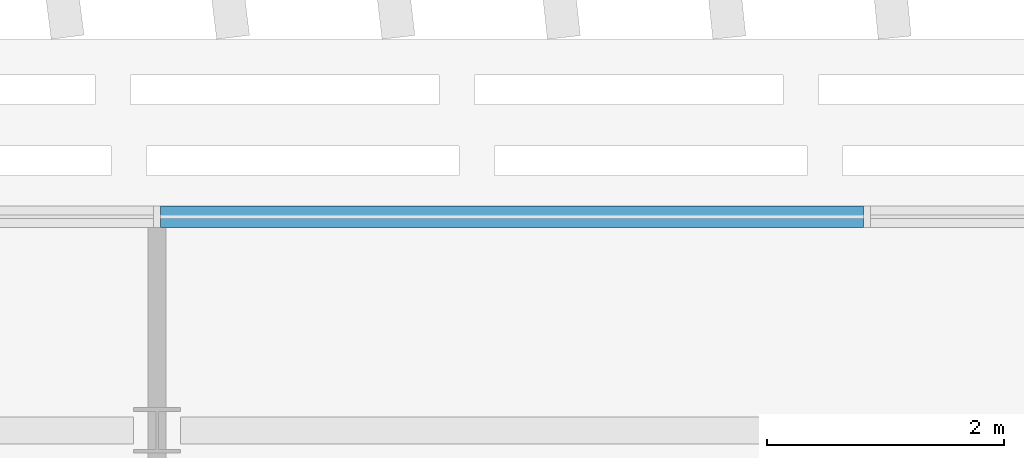
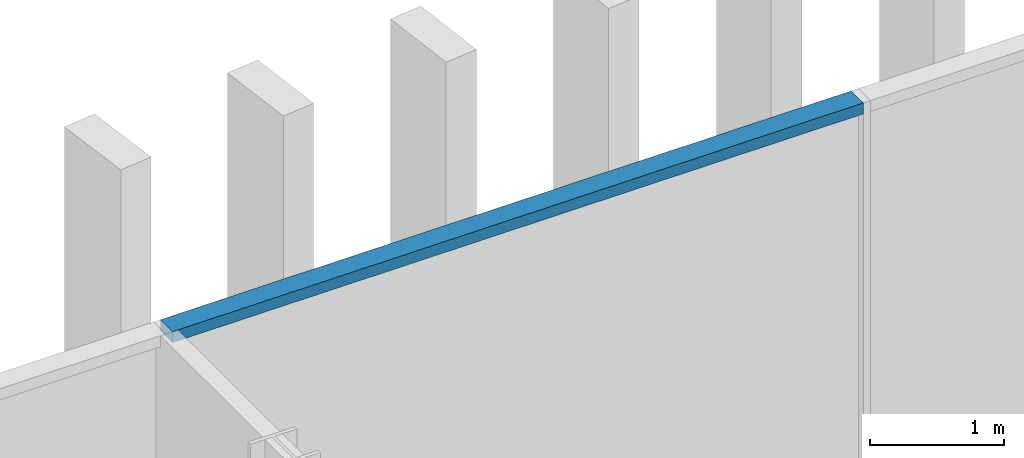
# One storey, part 11 of 32: 1 member, 1 element without a shape of its own.
"""IFC4 building model written with IfcOpenShell, lengths in metres."""

from ifc_helpers import new_model, si_unit, direction, frame, origin, origin_2d, place, context, subcontext, project, spatial, rectangle, extrude, material, material_profile, profile_set, type_object, element, aggregate, save


model = new_model("IFC4")

# Units and contexts
model_context = context("Model", 3, precision=1e-05, world=origin(), true_north=direction((0.0, 1.0)))
body_context = subcontext(model_context, "Body", "Model", "MODEL_VIEW")
ifc_project = project(units=[si_unit("LENGTHUNIT", "METRE"), si_unit("AREAUNIT", "SQUARE_METRE"), si_unit("VOLUMEUNIT", "CUBIC_METRE"), si_unit("PLANEANGLEUNIT", "RADIAN"), si_unit("MASSUNIT", "GRAM", prefix="KILO")], contexts=[model_context])

# Site, building, storey
site_placement = place(None, origin())
site = spatial("IfcSite", under=ifc_project, at=site_placement, CompositionType="ELEMENT")
building_placement = place(site_placement, origin())
building = spatial("IfcBuilding", under=site, at=building_placement, Name="Mahtab Terrace Research Tower", CompositionType="ELEMENT")
storey_placement = place(building_placement, frame((0.0, 0.0, 236.199951171875)))
storey = spatial("IfcBuildingStorey", under=building, at=storey_placement, Name="L57", CompositionType="ELEMENT", Elevation=236.199951171875)

# Curtain wall, member
ifc_material_1 = material(Name="Office ribbon curtain wall")
curtain_wall_type = type_object("IfcCurtainWallType", Name="Office ribbon curtain wall", PredefinedType="NOTDEFINED", material=ifc_material_1)
curtain_wall_placement = place(storey_placement, origin())
curtain_wall = element("IfcCurtainWall", 1, at=curtain_wall_placement, inside=storey, type_object=curtain_wall_type, Name="EN.L57.3.3", PredefinedType="NOTDEFINED")
ifc_material_2 = material(Name="Natural anodised aluminium", Category="aluminium")
ifc_material_profile = material_profile(ifc_material_2, rectangle(XDim=0.179931640625, YDim=0.10009765625, at=origin_2d()), Name="TRANSOM 100x180")
ifc_profile_set = profile_set([ifc_material_profile], Name="Natural anodised aluminium")
member_type = type_object("IfcMemberType", Name="Office ribbon curtain wall transom", PredefinedType="USERDEFINED", material=ifc_profile_set)
member_placement = place(storey_placement, frame((23.969970703125, 28.278076171875, 3.41015625), z_axis=(-1.0, 0.0, 0.0), x_axis=(0.0, -1.0, 0.0)))
member = element("IfcMember", 2, at=member_placement, type_object=member_type, Name="CWO-7 transom 5", ObjectType="TRANSOM", PredefinedType="USERDEFINED", context=body_context, shape_type="SweptSolid", body=[
    extrude(rectangle(XDim=0.179931640625, YDim=0.10009765625, at=origin_2d()), origin(), (0.0, 0.0, 1.0), 5.93994140625),
])
aggregate(curtain_wall, [member])

save(model, "model.ifc")
